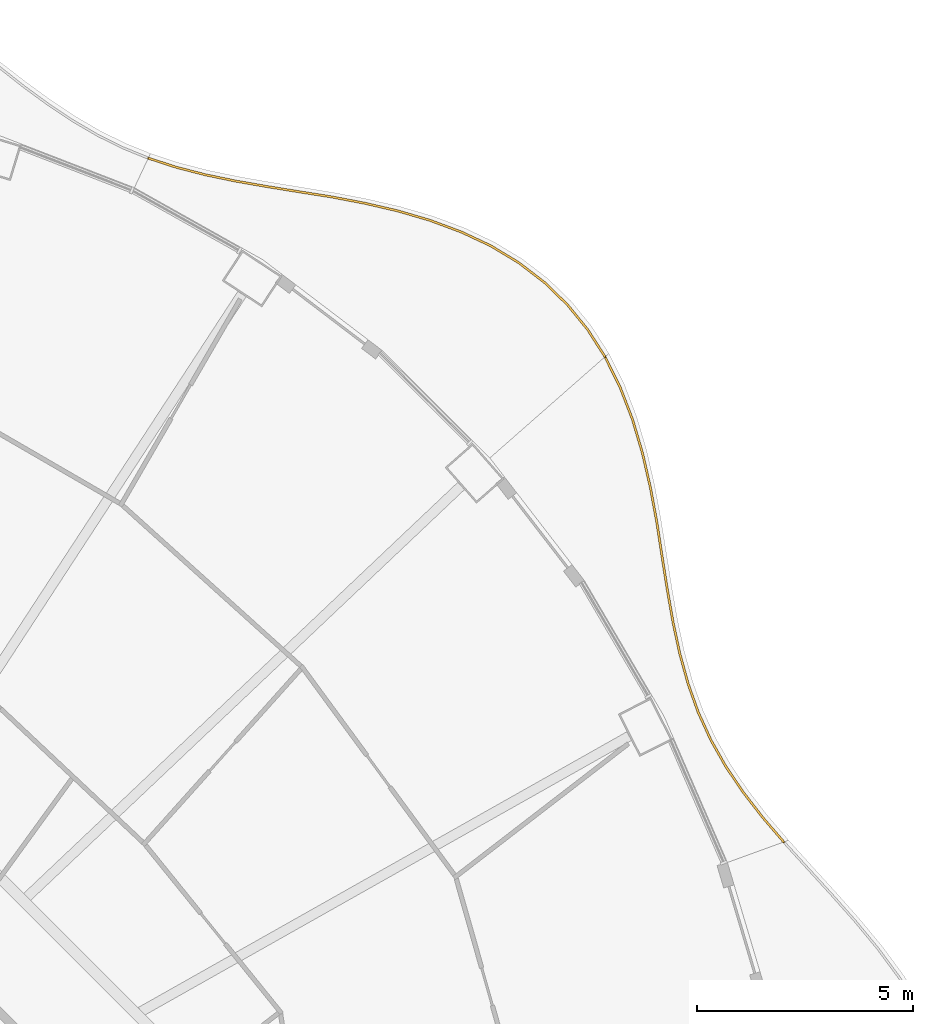
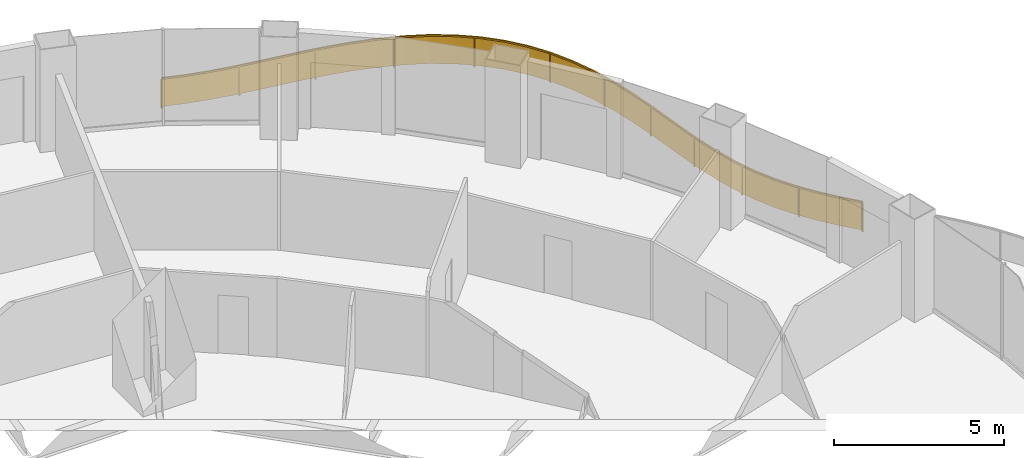
# One storey, part 20 of 20: 2 railings.
"""IFC4 building model written with IfcOpenShell, lengths in metres."""

from ifc_helpers import new_model, si_unit, direction, frame, origin, origin_2d, place, context, subcontext, project, spatial, polyline, rectangle, outline, extrude, material, type_object, element, save


model = new_model("IFC4")

# Units and contexts
model_context = context("Model", 3, precision=1e-05, world=origin(), true_north=direction((0.0, 1.0)))
body_context = subcontext(model_context, "Body", "Model", "MODEL_VIEW")
ifc_project = project(units=[si_unit("LENGTHUNIT", "METRE"), si_unit("AREAUNIT", "SQUARE_METRE"), si_unit("VOLUMEUNIT", "CUBIC_METRE"), si_unit("PLANEANGLEUNIT", "RADIAN"), si_unit("MASSUNIT", "GRAM", prefix="KILO")], contexts=[model_context])

# Site, building, storey
site_placement = place(None, origin())
site = spatial("IfcSite", under=ifc_project, at=site_placement, CompositionType="ELEMENT")
building_placement = place(site_placement, origin())
building = spatial("IfcBuilding", under=site, at=building_placement, Name="Nagisa Residences", CompositionType="ELEMENT")
storey_placement = place(building_placement, frame((0.0, 0.0, 165.89990234375)))
storey = spatial("IfcBuildingStorey", under=building, at=storey_placement, Name="L41", CompositionType="ELEMENT", Elevation=165.89990234375)

# Railings
ifc_material = material(Name="Stainless steel 316", Category="steel")
railing_type = type_object("IfcRailingType", Name="BALCONY GUARD 1100", PredefinedType="BALUSTRADE", material=ifc_material)
railing_1_placement = place(storey_placement, frame((28.348388671875, 11.52490234375, 0.0)))
element("IfcRailing", 1, at=railing_1_placement, inside=storey, type_object=railing_type, Name="guard:L41:bal01-0", PredefinedType="BALUSTRADE", context=body_context, shape_type="SweptSolid", body=[
    extrude(outline(polyline([(-0.508544921875, 0.554443359375), (-0.01904296875, -0.016357421875), (0.01904296875, 0.016357421875), (-0.469970703125, 0.586181640625), (-0.919677734375, 1.1669921875), (-1.320068359375, 1.760498046875), (-1.665771484375, 2.372802734375), (-1.95654296875, 3.010009765625), (-2.1884765625, 3.662841796875), (-2.38134765625, 4.35986328125), (-2.538330078125, 5.08740234375), (-2.67138671875, 5.843505859375), (-2.79443359375, 6.62255859375), (-2.914306640625, 7.405029296875), (-3.062744140625, 8.20703125), (-3.245849609375, 9.004638671875), (-3.476806640625, 9.786376953125), (-3.766357421875, 10.5400390625), (-4.11669921875, 11.2470703125), (-4.16162109375, 11.224609375), (-3.812255859375, 10.52001953125), (-3.524169921875, 9.770263671875), (-3.294189453125, 8.991943359375), (-3.111572265625, 8.19677734375), (-2.963623046875, 7.396728515625), (-2.84375, 6.61474609375), (-2.720703125, 5.835205078125), (-2.587646484375, 5.07763671875), (-2.43017578125, 4.34765625), (-2.236328125, 3.647705078125), (-2.0029296875, 2.990966796875), (-1.710205078125, 2.349853515625), (-1.362548828125, 1.734130859375), (-0.960205078125, 1.1376953125), (-0.508544921875, 0.554443359375)])), frame((0.0, 0.0, 1.050048828125)), (0.0, 0.0, 1.0), 0.050048828125),
    extrude(outline(polyline([(-0.49462890625, 0.56591796875), (-0.00537109375, -0.004638671875), (0.00537109375, 0.004638671875), (-0.48388671875, 0.57470703125), (-0.934326171875, 1.156494140625), (-1.33544921875, 1.7509765625), (-1.681640625, 2.364501953125), (-1.97314453125, 3.003173828125), (-2.205810546875, 3.657470703125), (-2.39892578125, 4.35546875), (-2.55615234375, 5.083984375), (-2.689208984375, 5.840576171875), (-2.812255859375, 6.61962890625), (-2.93212890625, 7.402099609375), (-3.080322265625, 8.203369140625), (-3.26318359375, 9.0), (-3.493896484375, 9.780517578125), (-3.782958984375, 10.532958984375), (-4.1328125, 11.239013671875), (-4.1455078125, 11.232666015625), (-3.795654296875, 10.527099609375), (-3.507080078125, 9.776123046875), (-3.27685546875, 8.99658203125), (-3.093994140625, 8.200439453125), (-2.94580078125, 7.399658203125), (-2.825927734375, 6.61767578125), (-2.702880859375, 5.838134765625), (-2.56982421875, 5.0810546875), (-2.41259765625, 4.35205078125), (-2.218994140625, 3.653076171875), (-1.986328125, 2.997802734375), (-1.6943359375, 2.358154296875), (-1.34716796875, 1.74365234375), (-0.945556640625, 1.148193359375), (-0.49462890625, 0.56591796875)])), frame((0.0, 0.0, 0.06005859375)), (0.0, 0.0, 1.0), 0.989990234375),
    extrude(rectangle(XDim=0.0400390625, YDim=0.0400390625, at=origin_2d()), origin(), (0.0, 0.0, 1.0), 1.050048828125),
    extrude(rectangle(XDim=0.0400390625, YDim=0.0400390625, at=origin_2d()), frame((-1.241943359375, 1.599853515625, 0.0)), (0.0, 0.0, 1.0), 1.050048828125),
    extrude(rectangle(XDim=0.0400390625, YDim=0.0400390625, at=origin_2d()), frame((-2.127685546875, 3.4169921875, 0.0)), (0.0, 0.0, 1.0), 1.050048828125),
    extrude(rectangle(XDim=0.0400390625, YDim=0.0400390625, at=origin_2d()), frame((-2.61572265625, 5.38232421875, 0.0)), (0.0, 0.0, 1.0), 1.050048828125),
    extrude(rectangle(XDim=0.0400390625, YDim=0.0400390625, at=origin_2d()), frame((-2.9365234375, 7.38427734375, 0.0)), (0.0, 0.0, 1.0), 1.050048828125),
    extrude(rectangle(XDim=0.0400390625, YDim=0.0400390625, at=origin_2d()), frame((-3.37744140625, 9.361572265625, 0.0)), (0.0, 0.0, 1.0), 1.050048828125),
    extrude(rectangle(XDim=0.0400390625, YDim=0.0400390625, at=origin_2d()), frame((-4.13916015625, 11.23583984375, 0.0)), (0.0, 0.0, 1.0), 1.050048828125),
])
railing_2_placement = place(storey_placement, frame((24.209228515625, 22.7607421875, 0.0)))
element("IfcRailing", 2, at=railing_2_placement, inside=storey, type_object=railing_type, Name="guard:L41:bal02-0", PredefinedType="BALUSTRADE", context=body_context, shape_type="SweptSolid", body=[
    extrude(outline(polyline([(-0.419189453125, 0.611328125), (-0.02099609375, -0.013427734375), (0.02099609375, 0.013427734375), (-0.378662109375, 0.640625), (-0.850341796875, 1.220703125), (-1.386474609375, 1.741455078125), (-1.982421875, 2.19873046875), (-2.63232421875, 2.591796875), (-3.314208984375, 2.911376953125), (-4.04345703125, 3.18310546875), (-4.796630859375, 3.403564453125), (-5.563232421875, 3.58154296875), (-6.33251953125, 3.728271484375), (-7.0810546875, 3.846435546875), (-7.828125, 3.967529296875), (-8.55419921875, 4.094970703125), (-9.2548828125, 4.240478515625), (-9.928466796875, 4.4150390625), (-10.568603515625, 4.62353515625), (-10.584228515625, 4.576171875), (-9.942626953125, 4.3671875), (-9.26611328125, 4.191650390625), (-8.5634765625, 4.045654296875), (-7.83642578125, 3.918212890625), (-7.0888671875, 3.797119140625), (-6.34130859375, 3.678955078125), (-5.573486328125, 3.53271484375), (-4.809326171875, 3.355224609375), (-4.05908203125, 3.1357421875), (-3.333740234375, 2.864990234375), (-2.65576171875, 2.54736328125), (-2.0107421875, 2.1572265625), (-1.419189453125, 1.703369140625), (-0.887451171875, 1.18701171875), (-0.419189453125, 0.611328125)])), frame((0.0, 0.0, 1.050048828125)), (0.0, 0.0, 1.0), 0.050048828125),
    extrude(outline(polyline([(-0.404541015625, 0.621826171875), (-0.005859375, -0.003662109375), (0.005859375, 0.003662109375), (-0.393310546875, 0.630126953125), (-0.86376953125, 1.20849609375), (-1.398193359375, 1.727783203125), (-1.99267578125, 2.183837890625), (-2.640625, 2.57568359375), (-3.3212890625, 2.89453125), (-4.049072265625, 3.166015625), (-4.80126953125, 3.38623046875), (-5.56689453125, 3.56396484375), (-6.335693359375, 3.71044921875), (-7.083740234375, 3.82861328125), (-7.8310546875, 3.94970703125), (-8.5576171875, 4.0771484375), (-9.2587890625, 4.222900390625), (-9.93359375, 4.39794921875), (-10.57421875, 4.6064453125), (-10.57861328125, 4.59326171875), (-9.9375, 4.38427734375), (-9.26220703125, 4.209228515625), (-8.56005859375, 4.0634765625), (-7.83349609375, 3.93603515625), (-7.086181640625, 3.81494140625), (-6.338134765625, 3.69677734375), (-5.56982421875, 3.55029296875), (-4.8046875, 3.37255859375), (-4.053466796875, 3.15283203125), (-3.32666015625, 2.8818359375), (-2.6474609375, 2.5634765625), (-2.00048828125, 2.172119140625), (-1.407470703125, 1.717041015625), (-0.8740234375, 1.19921875), (-0.404541015625, 0.621826171875)])), frame((0.0, 0.0, 0.06005859375)), (0.0, 0.0, 1.0), 0.989990234375),
    extrude(rectangle(XDim=0.0400390625, YDim=0.0400390625, at=origin_2d()), origin(), (0.0, 0.0, 1.0), 1.050048828125),
    extrude(rectangle(XDim=0.0400390625, YDim=0.0400390625, at=origin_2d()), frame((-1.529541015625, 1.819580078125, 0.0)), (0.0, 0.0, 1.0), 1.050048828125),
    extrude(rectangle(XDim=0.0400390625, YDim=0.0400390625, at=origin_2d()), frame((-3.60009765625, 2.9912109375, 0.0)), (0.0, 0.0, 1.0), 1.050048828125),
    extrude(rectangle(XDim=0.0400390625, YDim=0.0400390625, at=origin_2d()), frame((-5.90283203125, 3.620849609375, 0.0)), (0.0, 0.0, 1.0), 1.050048828125),
    extrude(rectangle(XDim=0.0400390625, YDim=0.0400390625, at=origin_2d()), frame((-8.260498046875, 4.01806640625, 0.0)), (0.0, 0.0, 1.0), 1.050048828125),
    extrude(rectangle(XDim=0.0400390625, YDim=0.0400390625, at=origin_2d()), frame((-10.576416015625, 4.599853515625, 0.0)), (0.0, 0.0, 1.0), 1.050048828125),
])

save(model, "model.ifc")
